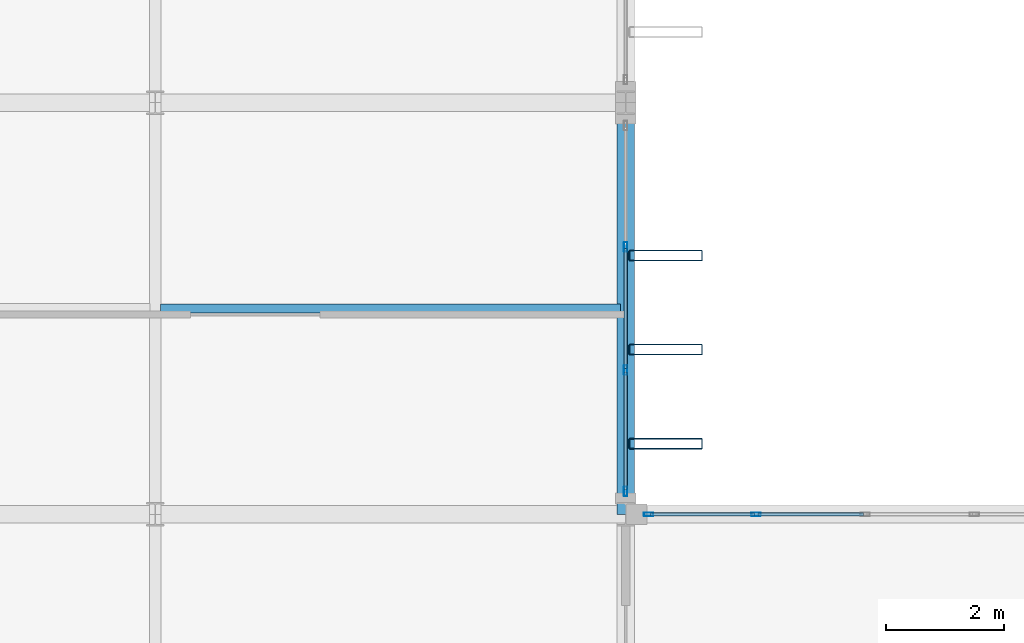
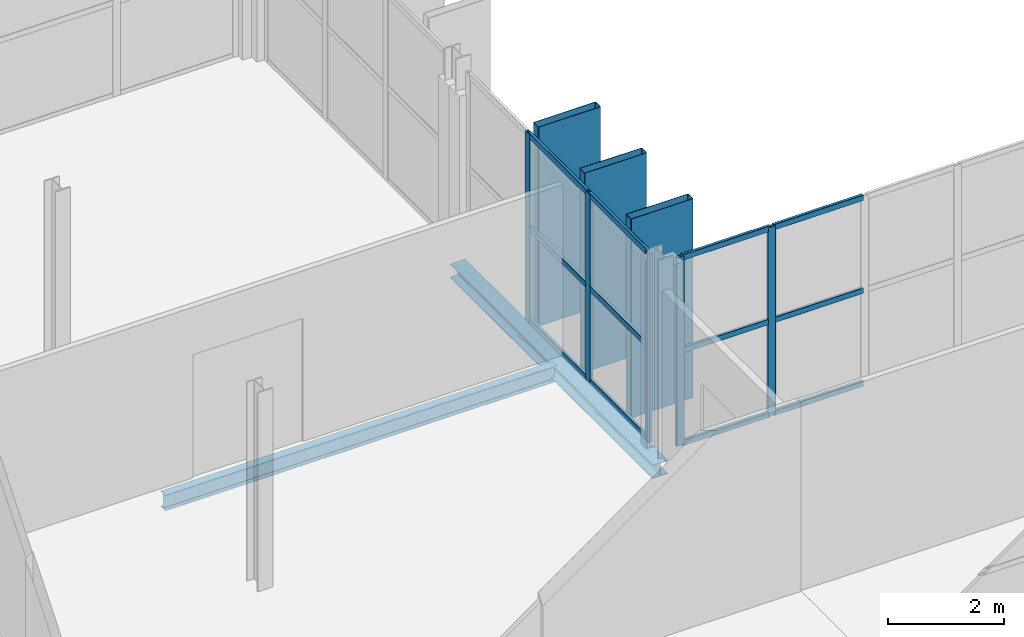
# One storey, part 45 of 101: 20 members, 2 beams, 2 elements without a shape of their own.
"""IFC4 building model written with IfcOpenShell, lengths in metres."""

from ifc_helpers import new_model, si_unit, direction, frame, origin, origin_2d, place, context, subcontext, project, spatial, hollow_rectangle, i_section, extrude, material, layer, layer_set, material_profile, profile_set, type_object, element, aggregate, save


model = new_model("IFC4")

# Units and contexts
model_context = context("Model", 3, precision=1e-05, world=origin(), true_north=direction((0.0, 1.0)))
body_context = subcontext(model_context, "Body", "Model", "MODEL_VIEW")
ifc_project = project(units=[si_unit("LENGTHUNIT", "METRE"), si_unit("AREAUNIT", "SQUARE_METRE"), si_unit("VOLUMEUNIT", "CUBIC_METRE"), si_unit("PLANEANGLEUNIT", "RADIAN"), si_unit("MASSUNIT", "GRAM", prefix="KILO")], contexts=[model_context])

# Site, building, storey
site_placement = place(None, origin())
site = spatial("IfcSite", under=ifc_project, at=site_placement, CompositionType="ELEMENT")
building_placement = place(site_placement, origin())
building = spatial("IfcBuilding", under=site, at=building_placement, Name="Vekula Escarpment Museum", CompositionType="ELEMENT")
storey_placement = place(building_placement, frame((0.0, 0.0, 18.0)))
storey = spatial("IfcBuildingStorey", under=building, at=storey_placement, Name="L04", CompositionType="ELEMENT", Elevation=18.0)

# Beams
ifc_material_1 = material(Name="Steel S355", Category="steel")
ifc_material_profile_1 = material_profile(ifc_material_1, i_section(OverallWidth=0.159912109375, OverallDepth=0.330078125, WebThickness=0.007568359375, FlangeThickness=0.011474609375, FilletRadius=0.01806640625, at=origin_2d()), Name="IPE 330")
ifc_profile_set_1 = profile_set([ifc_material_profile_1], Name="Steel S355")
beam_type_1 = type_object("IfcBeamType", Name="BM-JST-IPE330", PredefinedType="JOIST", material=ifc_profile_set_1)
beam_1_placement = place(storey_placement, frame((118.090087890625, 79.89990234375, -0.405029296875), z_axis=(1.0, 0.0, 0.0), x_axis=(0.0, 1.0, 0.0)))
element("IfcBeam", 1, at=beam_1_placement, inside=storey, type_object=beam_type_1, Name="Secondary Joist L04 1236", PredefinedType="JOIST", context=body_context, shape_type="SweptSolid", body=[
    extrude(i_section(OverallWidth=0.159912109375, OverallDepth=0.330078125, WebThickness=0.007568359375, FlangeThickness=0.011474609375, FilletRadius=0.01806640625, at=origin_2d()), origin(), (0.0, 0.0, 1.0), 7.81982421875),
])
ifc_material_2 = material(Name="Steel S355", Category="steel")
ifc_material_profile_2 = material_profile(ifc_material_2, i_section(OverallWidth=0.300048828125, OverallDepth=0.2900390625, WebThickness=0.008544921875, FlangeThickness=0.013916015625, FilletRadius=0.027099609375, at=origin_2d()), Name="HEA 300")
ifc_profile_set_2 = profile_set([ifc_material_profile_2], Name="Steel S355")
beam_type_2 = type_object("IfcBeamType", Name="BM-SPAN-HEA300", PredefinedType="SPANDREL", material=ifc_profile_set_2)
beam_2_placement = place(storey_placement, frame((126.0, 76.39990234375, -0.385009765625), z_axis=(0.0, 1.0, 0.0), x_axis=(-1.0, 0.0, 0.0)))
element("IfcBeam", 2, at=beam_2_placement, inside=storey, type_object=beam_type_2, Name="Beam Y L04 1915", PredefinedType="SPANDREL", context=body_context, shape_type="SweptSolid", body=[
    extrude(i_section(OverallWidth=0.300048828125, OverallDepth=0.2900390625, WebThickness=0.008544921875, FlangeThickness=0.013916015625, FilletRadius=0.027099609375, at=origin_2d()), origin(), (0.0, 0.0, 1.0), 7.0),
])

# Curtain wall, members
ifc_material_3 = material(Name="Aluminium thermally broken framing", Category="aluminium")
ifc_layer_1 = layer(ifc_material_3, 0.159912109375)
ifc_layer_set_1 = layer_set([ifc_layer_1], Name="Aluminium thermally broken framing")
curtain_wall_type_1 = type_object("IfcCurtainWallType", Name="CW-SYS-01", PredefinedType="NOTDEFINED", material=ifc_layer_set_1)
curtain_wall_1_placement = place(storey_placement, origin())
curtain_wall_1 = element("IfcCurtainWall", 3, at=curtain_wall_1_placement, inside=storey, type_object=curtain_wall_type_1, Name="Curtain Wall CW-L04-151", PredefinedType="NOTDEFINED")
ifc_material_4 = material(Name="Aluminium anodized mullion", Category="aluminium")
ifc_material_profile_3 = material_profile(ifc_material_4, hollow_rectangle(XDim=0.06005859375, YDim=0.159912109375, WallThickness=0.00390625, InnerFilletRadius=0.00390625, OuterFilletRadius=0.008056640625, at=origin_2d()), Name="ALU 160x60x4")
ifc_profile_set_3 = profile_set([ifc_material_profile_3], Name="Aluminium anodized mullion")
member_type_1 = type_object("IfcMemberType", Name="CW-MUL-160", PredefinedType="MULLION", material=ifc_profile_set_3)
member_1_placement = place(storey_placement, frame((128.216064453125, 76.39990234375, 0.0), z_axis=(0.0, 0.0, 1.0), x_axis=(0.0, -1.0, 0.0)))
member_1 = element("IfcMember", 4, at=member_1_placement, type_object=member_type_1, Name="CW-01 mullion 5", PredefinedType="MULLION", context=body_context, shape_type="SweptSolid", body=[
    extrude(hollow_rectangle(XDim=0.06005859375, YDim=0.159912109375, WallThickness=0.00390625, InnerFilletRadius=0.00390625, OuterFilletRadius=0.008056640625, at=origin_2d()), origin(), (0.0, 0.0, 1.0), 3.97998046875),
])
member_2_placement = place(storey_placement, frame((126.389892578125, 76.39990234375, 0.0), z_axis=(0.0, 0.0, 1.0), x_axis=(0.0, -1.0, 0.0)))
member_2 = element("IfcMember", 5, at=member_2_placement, type_object=member_type_1, Name="CW-01 mullion 6", PredefinedType="MULLION", context=body_context, shape_type="SweptSolid", body=[
    extrude(hollow_rectangle(XDim=0.06005859375, YDim=0.159912109375, WallThickness=0.00390625, InnerFilletRadius=0.00390625, OuterFilletRadius=0.008056640625, at=origin_2d()), origin(), (0.0, 0.0, 1.0), 3.97998046875),
])

ifc_material_5 = material(Name="Aluminium thermally broken framing", Category="aluminium")
ifc_layer_2 = layer(ifc_material_5, 0.159912109375)
ifc_layer_set_2 = layer_set([ifc_layer_2], Name="Aluminium thermally broken framing")
curtain_wall_type_2 = type_object("IfcCurtainWallType", Name="CW-SYS-02", PredefinedType="NOTDEFINED", material=ifc_layer_set_2)
curtain_wall_2_placement = place(storey_placement, origin())
curtain_wall_2 = element("IfcCurtainWall", 6, at=curtain_wall_2_placement, inside=storey, type_object=curtain_wall_type_2, Name="Curtain Wall CW-L04-152", PredefinedType="NOTDEFINED")
member_3_placement = place(storey_placement, frame((126.0, 76.7900390625, 0.0), z_axis=(0.0, 0.0, 1.0), x_axis=(-1.0, 0.0, 0.0)))
member_3 = element("IfcMember", 7, at=member_3_placement, type_object=member_type_1, Name="CW-02 mullion 1", PredefinedType="MULLION", context=body_context, shape_type="SweptSolid", body=[
    extrude(hollow_rectangle(XDim=0.06005859375, YDim=0.159912109375, WallThickness=0.00390625, InnerFilletRadius=0.00390625, OuterFilletRadius=0.008056640625, at=origin_2d()), origin(), (0.0, 0.0, 1.0), 3.97998046875),
])
member_4_placement = place(storey_placement, frame((126.0, 78.853271484375, 0.0), z_axis=(0.0, 0.0, 1.0), x_axis=(-1.0, 0.0, 0.0)))
member_4 = element("IfcMember", 8, at=member_4_placement, type_object=member_type_1, Name="CW-02 mullion 2", PredefinedType="MULLION", context=body_context, shape_type="SweptSolid", body=[
    extrude(hollow_rectangle(XDim=0.06005859375, YDim=0.159912109375, WallThickness=0.00390625, InnerFilletRadius=0.00390625, OuterFilletRadius=0.008056640625, at=origin_2d()), origin(), (0.0, 0.0, 1.0), 3.97998046875),
])
member_5_placement = place(storey_placement, frame((126.0, 80.94677734375, 0.0), z_axis=(0.0, 0.0, 1.0), x_axis=(-1.0, 0.0, 0.0)))
member_5 = element("IfcMember", 9, at=member_5_placement, type_object=member_type_1, Name="CW-02 mullion 3", PredefinedType="MULLION", context=body_context, shape_type="SweptSolid", body=[
    extrude(hollow_rectangle(XDim=0.06005859375, YDim=0.159912109375, WallThickness=0.00390625, InnerFilletRadius=0.00390625, OuterFilletRadius=0.008056640625, at=origin_2d()), origin(), (0.0, 0.0, 1.0), 3.97998046875),
])

# Member
ifc_material_6 = material(Name="Aluminium anodized transom", Category="aluminium")
ifc_material_profile_4 = material_profile(ifc_material_6, hollow_rectangle(XDim=0.06005859375, YDim=0.1201171875, WallThickness=0.00390625, InnerFilletRadius=0.00390625, OuterFilletRadius=0.008056640625, at=origin_2d()), Name="ALU 120x60x4")
ifc_profile_set_4 = profile_set([ifc_material_profile_4], Name="Aluminium anodized transom")
member_type_2 = type_object("IfcMemberType", Name="CW-TRN-120", PredefinedType="USERDEFINED", material=ifc_profile_set_4)
member_6_placement = place(storey_placement, frame((130.0419921875, 76.39990234375, 0.030029296875), z_axis=(-1.0, 0.0, 0.0), x_axis=(0.0, -1.0, 0.0)))
member_6 = element("IfcMember", 10, at=member_6_placement, type_object=member_type_2, Name="CW-01 transom 4.1", ObjectType="TRANSOM", PredefinedType="USERDEFINED", context=body_context, shape_type="SweptSolid", body=[
    extrude(hollow_rectangle(XDim=0.06005859375, YDim=0.1201171875, WallThickness=0.00390625, InnerFilletRadius=0.00390625, OuterFilletRadius=0.008056640625, at=origin_2d()), origin(), (0.0, 0.0, 1.0), 1.7958984375),
])

member_7_placement = place(storey_placement, frame((130.0419921875, 76.39990234375, 1.989990234375), z_axis=(-1.0, 0.0, 0.0), x_axis=(0.0, -1.0, 0.0)))
member_7 = element("IfcMember", 11, at=member_7_placement, type_object=member_type_2, Name="CW-01 transom 4.2", ObjectType="TRANSOM", PredefinedType="USERDEFINED", context=body_context, shape_type="SweptSolid", body=[
    extrude(hollow_rectangle(XDim=0.06005859375, YDim=0.1201171875, WallThickness=0.00390625, InnerFilletRadius=0.00390625, OuterFilletRadius=0.008056640625, at=origin_2d()), origin(), (0.0, 0.0, 1.0), 1.7958984375),
])

member_8_placement = place(storey_placement, frame((130.0419921875, 76.39990234375, 3.949951171875), z_axis=(-1.0, 0.0, 0.0), x_axis=(0.0, -1.0, 0.0)))
member_8 = element("IfcMember", 12, at=member_8_placement, type_object=member_type_2, Name="CW-01 transom 4.3", ObjectType="TRANSOM", PredefinedType="USERDEFINED", context=body_context, shape_type="SweptSolid", body=[
    extrude(hollow_rectangle(XDim=0.06005859375, YDim=0.1201171875, WallThickness=0.00390625, InnerFilletRadius=0.00390625, OuterFilletRadius=0.008056640625, at=origin_2d()), origin(), (0.0, 0.0, 1.0), 1.7958984375),
])

member_9_placement = place(storey_placement, frame((128.18603515625, 76.39990234375, 0.030029296875), z_axis=(-1.0, 0.0, 0.0), x_axis=(0.0, -1.0, 0.0)))
member_9 = element("IfcMember", 13, at=member_9_placement, type_object=member_type_2, Name="CW-01 transom 5.1", ObjectType="TRANSOM", PredefinedType="USERDEFINED", context=body_context, shape_type="SweptSolid", body=[
    extrude(hollow_rectangle(XDim=0.06005859375, YDim=0.1201171875, WallThickness=0.00390625, InnerFilletRadius=0.00390625, OuterFilletRadius=0.008056640625, at=origin_2d()), origin(), (0.0, 0.0, 1.0), 1.76611328125),
])

member_10_placement = place(storey_placement, frame((128.18603515625, 76.39990234375, 1.989990234375), z_axis=(-1.0, 0.0, 0.0), x_axis=(0.0, -1.0, 0.0)))
member_10 = element("IfcMember", 14, at=member_10_placement, type_object=member_type_2, Name="CW-01 transom 5.2", ObjectType="TRANSOM", PredefinedType="USERDEFINED", context=body_context, shape_type="SweptSolid", body=[
    extrude(hollow_rectangle(XDim=0.06005859375, YDim=0.1201171875, WallThickness=0.00390625, InnerFilletRadius=0.00390625, OuterFilletRadius=0.008056640625, at=origin_2d()), origin(), (0.0, 0.0, 1.0), 1.76611328125),
])

member_11_placement = place(storey_placement, frame((128.18603515625, 76.39990234375, 3.949951171875), z_axis=(-1.0, 0.0, 0.0), x_axis=(0.0, -1.0, 0.0)))
member_11 = element("IfcMember", 15, at=member_11_placement, type_object=member_type_2, Name="CW-01 transom 5.3", ObjectType="TRANSOM", PredefinedType="USERDEFINED", context=body_context, shape_type="SweptSolid", body=[
    extrude(hollow_rectangle(XDim=0.06005859375, YDim=0.1201171875, WallThickness=0.00390625, InnerFilletRadius=0.00390625, OuterFilletRadius=0.008056640625, at=origin_2d()), origin(), (0.0, 0.0, 1.0), 1.76611328125),
])

aggregate(curtain_wall_1, [member_1, member_2, member_6, member_7, member_8, member_9, member_10, member_11])

member_12_placement = place(storey_placement, frame((126.0, 76.820068359375, 0.030029296875), z_axis=(0.0, 1.0, 0.0), x_axis=(-1.0, 0.0, 0.0)))
member_12 = element("IfcMember", 16, at=member_12_placement, type_object=member_type_2, Name="CW-02 transom 1.1", ObjectType="TRANSOM", PredefinedType="USERDEFINED", context=body_context, shape_type="SweptSolid", body=[
    extrude(hollow_rectangle(XDim=0.06005859375, YDim=0.1201171875, WallThickness=0.00390625, InnerFilletRadius=0.00390625, OuterFilletRadius=0.008056640625, at=origin_2d()), origin(), (0.0, 0.0, 1.0), 2.003173828125),
])

member_13_placement = place(storey_placement, frame((126.0, 76.820068359375, 1.989990234375), z_axis=(0.0, 1.0, 0.0), x_axis=(-1.0, 0.0, 0.0)))
member_13 = element("IfcMember", 17, at=member_13_placement, type_object=member_type_2, Name="CW-02 transom 1.2", ObjectType="TRANSOM", PredefinedType="USERDEFINED", context=body_context, shape_type="SweptSolid", body=[
    extrude(hollow_rectangle(XDim=0.06005859375, YDim=0.1201171875, WallThickness=0.00390625, InnerFilletRadius=0.00390625, OuterFilletRadius=0.008056640625, at=origin_2d()), origin(), (0.0, 0.0, 1.0), 2.003173828125),
])

member_14_placement = place(storey_placement, frame((126.0, 76.820068359375, 3.949951171875), z_axis=(0.0, 1.0, 0.0), x_axis=(-1.0, 0.0, 0.0)))
member_14 = element("IfcMember", 18, at=member_14_placement, type_object=member_type_2, Name="CW-02 transom 1.3", ObjectType="TRANSOM", PredefinedType="USERDEFINED", context=body_context, shape_type="SweptSolid", body=[
    extrude(hollow_rectangle(XDim=0.06005859375, YDim=0.1201171875, WallThickness=0.00390625, InnerFilletRadius=0.00390625, OuterFilletRadius=0.008056640625, at=origin_2d()), origin(), (0.0, 0.0, 1.0), 2.003173828125),
])

member_15_placement = place(storey_placement, frame((126.0, 78.88330078125, 0.030029296875), z_axis=(0.0, 1.0, 0.0), x_axis=(-1.0, 0.0, 0.0)))
member_15 = element("IfcMember", 19, at=member_15_placement, type_object=member_type_2, Name="CW-02 transom 2.1", ObjectType="TRANSOM", PredefinedType="USERDEFINED", context=body_context, shape_type="SweptSolid", body=[
    extrude(hollow_rectangle(XDim=0.06005859375, YDim=0.1201171875, WallThickness=0.00390625, InnerFilletRadius=0.00390625, OuterFilletRadius=0.008056640625, at=origin_2d()), origin(), (0.0, 0.0, 1.0), 2.033447265625),
])

member_16_placement = place(storey_placement, frame((126.0, 78.88330078125, 1.989990234375), z_axis=(0.0, 1.0, 0.0), x_axis=(-1.0, 0.0, 0.0)))
member_16 = element("IfcMember", 20, at=member_16_placement, type_object=member_type_2, Name="CW-02 transom 2.2", ObjectType="TRANSOM", PredefinedType="USERDEFINED", context=body_context, shape_type="SweptSolid", body=[
    extrude(hollow_rectangle(XDim=0.06005859375, YDim=0.1201171875, WallThickness=0.00390625, InnerFilletRadius=0.00390625, OuterFilletRadius=0.008056640625, at=origin_2d()), origin(), (0.0, 0.0, 1.0), 2.033447265625),
])

member_17_placement = place(storey_placement, frame((126.0, 78.88330078125, 3.949951171875), z_axis=(0.0, 1.0, 0.0), x_axis=(-1.0, 0.0, 0.0)))
member_17 = element("IfcMember", 21, at=member_17_placement, type_object=member_type_2, Name="CW-02 transom 2.3", ObjectType="TRANSOM", PredefinedType="USERDEFINED", context=body_context, shape_type="SweptSolid", body=[
    extrude(hollow_rectangle(XDim=0.06005859375, YDim=0.1201171875, WallThickness=0.00390625, InnerFilletRadius=0.00390625, OuterFilletRadius=0.008056640625, at=origin_2d()), origin(), (0.0, 0.0, 1.0), 2.033447265625),
])

aggregate(curtain_wall_2, [member_3, member_4, member_5, member_12, member_13, member_14, member_15, member_16, member_17])

# Members
ifc_material_7 = material(Name="Steel S355 weathered bronze solar fin", Category="steel")
ifc_material_profile_5 = material_profile(ifc_material_7, hollow_rectangle(XDim=0.179931640625, YDim=1.25, WallThickness=0.010009765625, InnerFilletRadius=0.010009765625, OuterFilletRadius=0.02001953125, at=origin_2d()), Name="RHS 1250x180x10")
ifc_profile_set_5 = profile_set([ifc_material_profile_5], Name="Steel S355 weathered bronze solar fin")
member_type_3 = type_object("IfcMemberType", Name="MB-SOLAR-FIN", PredefinedType="USERDEFINED", material=ifc_profile_set_5)
for number, where, z_axis, x_axis, name in (
    (22, (126.679931640625, 77.60009765625, 0.0), (0.0, 0.0, 1.0), (0.0, 1.0, 0.0), "Great Hall Vertical Solar Fin 0389"),
    (23, (126.679931640625, 79.199951171875, 0.0), (0.0, 0.0, 1.0), (0.0, 1.0, 0.0), "Great Hall Vertical Solar Fin 0394"),
    (24, (126.679931640625, 80.800048828125, 0.0), (0.0, 0.0, 1.0), (0.0, 1.0, 0.0), "Great Hall Vertical Solar Fin 0399"),
):
    element("IfcMember", number, at=place(storey_placement, frame(where, z_axis=z_axis, x_axis=x_axis)), inside=storey, type_object=member_type_3, Name=name, ObjectType="SOLAR FIN", PredefinedType="USERDEFINED", context=body_context, shape_type="SweptSolid", body=[
        extrude(hollow_rectangle(XDim=0.179931640625, YDim=1.25, WallThickness=0.010009765625, InnerFilletRadius=0.010009765625, OuterFilletRadius=0.02001953125, at=origin_2d()), origin(), (0.0, 0.0, 1.0), 4.199951171875),
    ])

save(model, "model.ifc")
